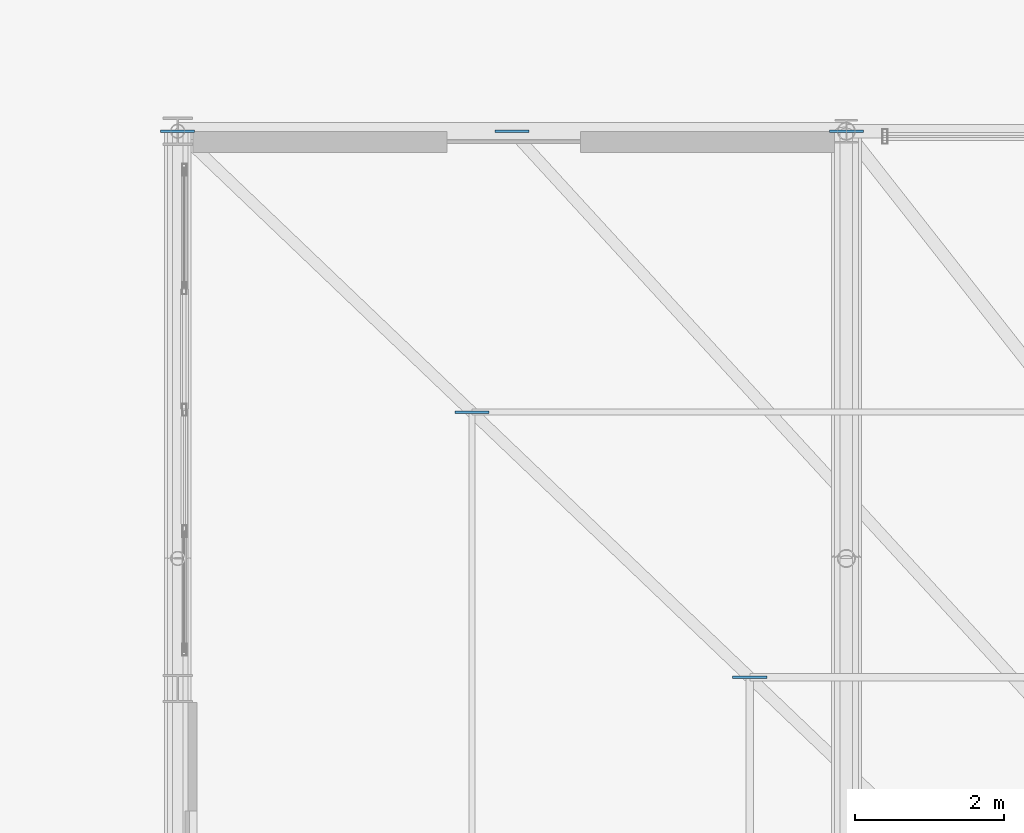
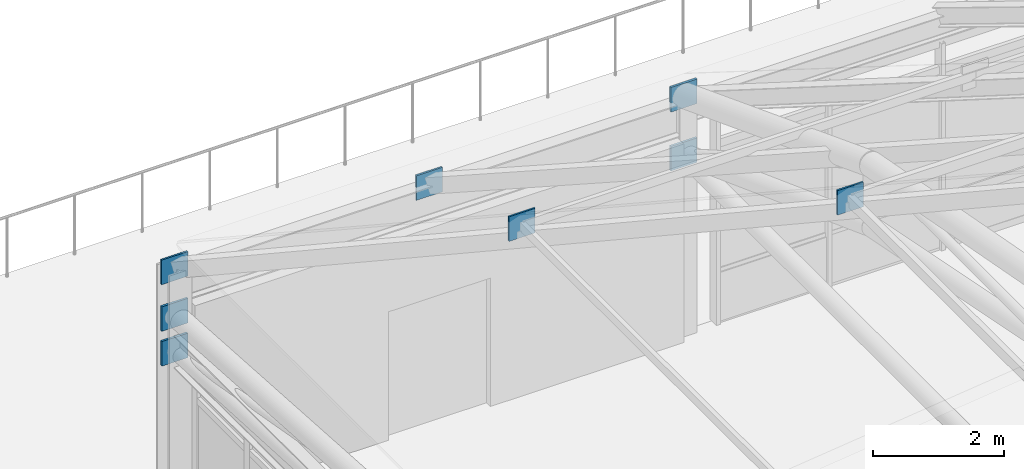
# One storey, part 143 of 168: 8 plates.
"""IFC4 building model written with IfcOpenShell, lengths in metres."""

from ifc_helpers import new_model, si_unit, direction, frame, origin, origin_2d, place, context, subcontext, project, spatial, rectangle, extrude, material, layer, layer_set, type_object, element, save


model = new_model("IFC4")

# Units and contexts
model_context = context("Model", 3, precision=1e-05, world=origin(), true_north=direction((0.0, 1.0)))
body_context = subcontext(model_context, "Body", "Model", "MODEL_VIEW")
ifc_project = project(units=[si_unit("LENGTHUNIT", "METRE"), si_unit("AREAUNIT", "SQUARE_METRE"), si_unit("VOLUMEUNIT", "CUBIC_METRE"), si_unit("PLANEANGLEUNIT", "RADIAN"), si_unit("MASSUNIT", "GRAM", prefix="KILO"), si_unit("THERMODYNAMICTEMPERATUREUNIT", "KELVIN"), si_unit("POWERUNIT", "WATT")], contexts=[model_context])

# Site, building, storey
site_placement = place(None, origin())
site = spatial("IfcSite", under=ifc_project, at=site_placement, CompositionType="ELEMENT")
building_placement = place(site_placement, origin())
building = spatial("IfcBuilding", under=site, at=building_placement, Name="Tepalcoro Natatorium and Aquatics Centre", CompositionType="ELEMENT")
storey_placement = place(building_placement, frame((0.0, 0.0, 10.199951171875)))
storey = spatial("IfcBuildingStorey", under=building, at=storey_placement, Name="L02", CompositionType="ELEMENT", Elevation=10.199951171875)

# Plates
ifc_material = material(Name="Plate Steel ASTM A572 Grade 50 (Fy 345 MPa)", Category="steel")
ifc_layer_1 = layer(ifc_material, 0.031982421875)
ifc_layer_set_1 = layer_set([ifc_layer_1], Name="Plate Steel ASTM A572 Grade 50 (Fy 345 MPa)")
plate_type_1 = type_object("IfcPlateType", Name="PL_CAP_32", PredefinedType="USERDEFINED", material=ifc_layer_set_1)
for number, where, z_axis, x_axis, name in (
    (1, (53.0, 59.0, 4.090087890625), (0.0, 0.0, 1.0), (1.0, 0.0, 0.0), "Truss Node Cap Plate HIP_NW"),
    (2, (57.5, 59.0, 4.090087890625), (0.0, 0.0, 1.0), (1.0, 0.0, 0.0), "Truss Node Cap Plate RAFN"),
    (3, (56.9599609375, 55.219970703125, 5.806640625), (0.0, 0.0, 1.0), (1.0, 0.0, 0.0), "Truss Node Cap Plate PURN"),
    (4, (60.699951171875, 51.64990234375, 7.150146484375), (0.0, 0.0, 1.0), (1.0, 0.0, 0.0), "Truss Node Cap Plate PURN"),
):
    element("IfcPlate", number, at=place(storey_placement, frame(where, z_axis=z_axis, x_axis=x_axis)), inside=storey, type_object=plate_type_1, Name=name, ObjectType="CAP PLATE", PredefinedType="USERDEFINED", context=body_context, shape_type="SweptSolid", body=[
        extrude(rectangle(XDim=0.4599609375, YDim=0.031982421875, at=origin_2d()), origin(), (0.0, 0.0, 1.0), 0.4599609375),
    ])
ifc_layer_2 = layer(ifc_material, 0.0400390625)
ifc_layer_set_2 = layer_set([ifc_layer_2], Name="Plate Steel ASTM A572 Grade 50 (Fy 345 MPa)")
plate_type_2 = type_object("IfcPlateType", Name="PL_GUSSET_40", PredefinedType="USERDEFINED", material=ifc_layer_set_2)
for number, where, z_axis, x_axis, name in (
    (5, (53.0, 59.0, 3.219970703125), (0.0, 0.0, 1.0), (1.0, 0.0, 0.0), "Truss Node Gusset Plate V1T_0"),
    (6, (53.0, 59.0, 2.570068359375), (0.0, 0.0, 1.0), (1.0, 0.0, 0.0), "Truss Node Gusset Plate V1B_0"),
    (7, (62.0, 59.0, 4.1669921875), (0.0, 0.0, 1.0), (1.0, 0.0, 0.0), "Truss Node Gusset Plate V1T_1"),
    (8, (62.0, 59.0, 3.067138671875), (0.0, 0.0, 1.0), (1.0, 0.0, 0.0), "Truss Node Gusset Plate V1B_1"),
):
    element("IfcPlate", number, at=place(storey_placement, frame(where, z_axis=z_axis, x_axis=x_axis)), inside=storey, type_object=plate_type_2, Name=name, ObjectType="GUSSET PLATE", PredefinedType="USERDEFINED", context=body_context, shape_type="SweptSolid", body=[
        extrude(rectangle(XDim=0.4599609375, YDim=0.0400390625, at=origin_2d()), origin(), (0.0, 0.0, 1.0), 0.4599609375),
    ])

save(model, "model.ifc")
